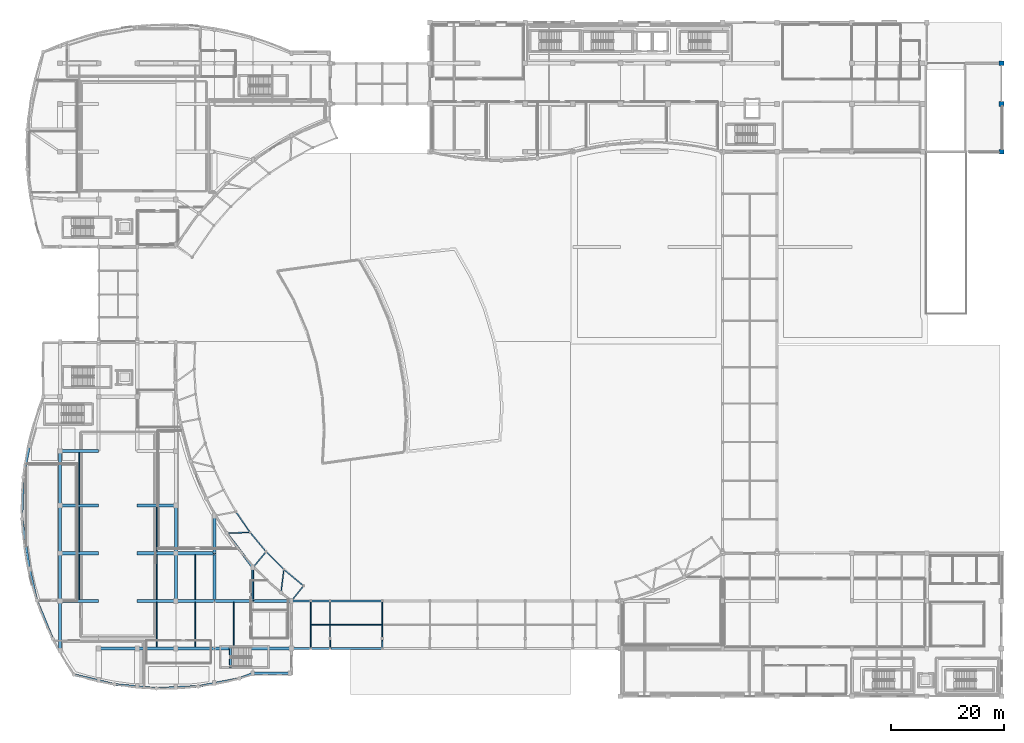
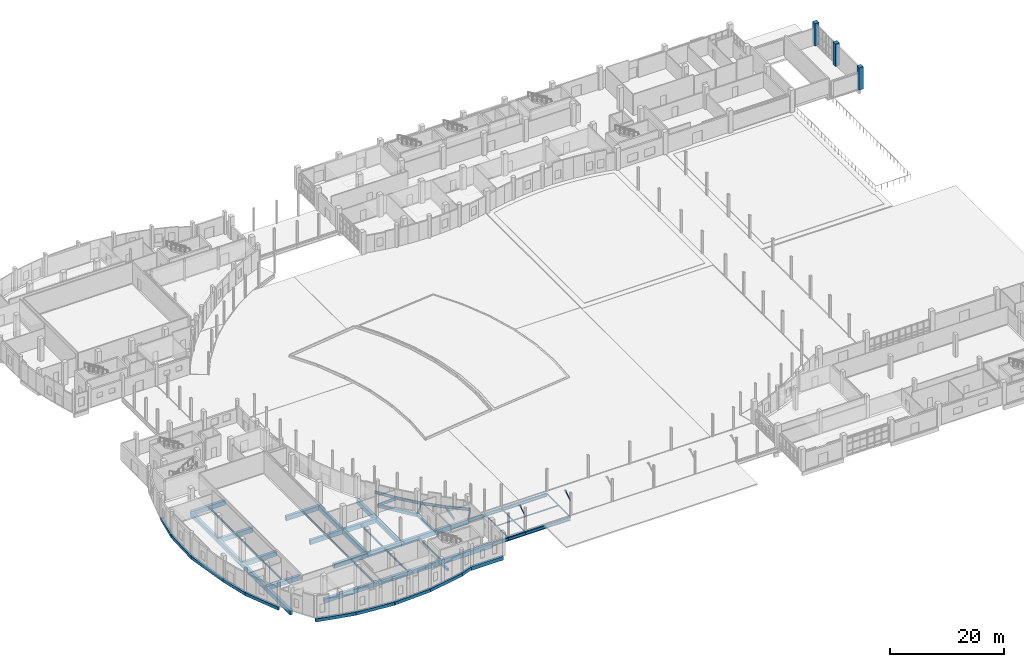
# One storey, part 20 of 97: 65 beams, 3 columns, 2 members.
"""IFC4 building model written with IfcOpenShell, lengths in metres."""

from ifc_helpers import new_model, si_unit, direction, frame, origin, origin_2d, place, context, subcontext, project, spatial, rectangle, hollow_rectangle, i_section, extrude, material, material_profile, profile_set, type_object, element, save


model = new_model("IFC4")

# Units and contexts
model_context = context("Model", 3, precision=1e-05, world=origin(), true_north=direction((0.0, 1.0)))
body_context = subcontext(model_context, "Body", "Model", "MODEL_VIEW")
ifc_project = project(units=[si_unit("LENGTHUNIT", "METRE"), si_unit("AREAUNIT", "SQUARE_METRE"), si_unit("VOLUMEUNIT", "CUBIC_METRE"), si_unit("PLANEANGLEUNIT", "RADIAN"), si_unit("MASSUNIT", "GRAM", prefix="KILO")], contexts=[model_context])

# Site, building, storey
site_placement = place(None, origin())
site = spatial("IfcSite", under=ifc_project, at=site_placement, CompositionType="ELEMENT")
building_placement = place(site_placement, origin())
building = spatial("IfcBuilding", under=site, at=building_placement, Name="Kisaragi Civic Commons", CompositionType="ELEMENT")
storey_placement = place(building_placement, origin())
storey = spatial("IfcBuildingStorey", under=building, at=storey_placement, Name="L00", CompositionType="ELEMENT", Elevation=0.0)

# Columns
ifc_material_1 = material(Name="Concrete Fc36", Category="concrete")
ifc_material_profile_1 = material_profile(ifc_material_1, rectangle(XDim=0.85009765625, YDim=0.85009765625, at=origin_2d()), Name="RC-850x850", Category="concrete")
ifc_profile_set_1 = profile_set([ifc_material_profile_1], Name="Concrete Fc36")
column_type = type_object("IfcColumnType", Name="C-05", PredefinedType="COLUMN", material=ifc_profile_set_1)
for number, where, z_axis, x_axis, name in (
    (1, (172.800048828125, 96.0, 0.0), (0.0, 0.0, 1.0), (1.0, 0.0, 0.0), "L00 column C-05 (172.8,96.0)"),
    (2, (172.800048828125, 104.39990234375, 0.0), (0.0, 0.0, 1.0), (1.0, 0.0, 0.0), "L00 column C-05 (172.8,104.4)"),
    (3, (172.800048828125, 111.60009765625, 0.0), (0.0, 0.0, 1.0), (1.0, 0.0, 0.0), "L00 column C-05 (172.8,111.6)"),
):
    element("IfcColumn", number, at=place(storey_placement, frame(where, z_axis=z_axis, x_axis=x_axis)), inside=storey, type_object=column_type, Name=name, PredefinedType="COLUMN", context=body_context, shape_type="SweptSolid", body=[
        extrude(rectangle(XDim=0.85009765625, YDim=0.85009765625, at=origin_2d()), origin(), (0.0, 0.0, 1.0), 4.800048828125),
    ])

# Beams
ifc_material_profile_2 = material_profile(ifc_material_1, rectangle(XDim=0.550048828125, YDim=0.949951171875, at=origin_2d()), Name="RC-550x950", Category="concrete")
ifc_profile_set_2 = profile_set([ifc_material_profile_2], Name="Concrete Fc36")
beam_type_1 = type_object("IfcBeamType", Name="G-01", PredefinedType="BEAM", material=ifc_profile_set_2)
beam_1_placement = place(storey_placement, frame((13.60009765625, 8.39990234375, -0.81494140625), z_axis=(1.0, 0.0, 0.0), x_axis=(0.0, 1.0, 0.0)))
element("IfcBeam", 4, at=beam_1_placement, inside=storey, type_object=beam_type_1, Name="L00 girder G-01 2", PredefinedType="BEAM", context=body_context, shape_type="SweptSolid", body=[
    extrude(rectangle(XDim=0.550048828125, YDim=0.949951171875, at=origin_2d()), origin(), (0.0, 0.0, 1.0), 6.7998046875),
])
for number, where, z_axis, x_axis, name in (
    (5, (20.39990234375, 8.39990234375, -0.81494140625), (1.0, 0.0, 0.0), (0.0, 1.0, 0.0), "L00 girder G-01 3"),
    (6, (27.199951171875, 8.39990234375, -0.81494140625), (1.0, 0.0, 0.0), (0.0, 1.0, 0.0), "L00 girder G-01 4"),
):
    element("IfcBeam", number, at=place(storey_placement, frame(where, z_axis=z_axis, x_axis=x_axis)), inside=storey, type_object=beam_type_1, Name=name, PredefinedType="BEAM", context=body_context, shape_type="SweptSolid", body=[
        extrude(rectangle(XDim=0.550048828125, YDim=0.949951171875, at=origin_2d()), origin(), (0.0, 0.0, 1.0), 6.800048828125),
    ])
beam_2_placement = place(storey_placement, frame((34.0, 8.39990234375, -0.81494140625), z_axis=(1.0, 0.0, 0.0), x_axis=(0.0, 1.0, 0.0)))
element("IfcBeam", 7, at=beam_2_placement, inside=storey, type_object=beam_type_1, Name="L00 girder G-01 5", PredefinedType="BEAM", context=body_context, shape_type="SweptSolid", body=[
    extrude(rectangle(XDim=0.550048828125, YDim=0.949951171875, at=origin_2d()), origin(), (0.0, 0.0, 1.0), 13.60009765625),
])
for number, where, z_axis, x_axis, name in (
    (8, (6.800048828125, 16.800048828125, -0.81494140625), (1.0, 0.0, 0.0), (0.0, 1.0, 0.0), "L00 girder G-01 6"),
    (9, (20.39990234375, 16.800048828125, -0.81494140625), (1.0, 0.0, 0.0), (0.0, 1.0, 0.0), "L00 girder G-01 7"),
    (10, (27.199951171875, 16.800048828125, -0.81494140625), (1.0, 0.0, 0.0), (0.0, 1.0, 0.0), "L00 girder G-01 8"),
    (11, (34.0, 16.800048828125, -0.81494140625), (1.0, 0.0, 0.0), (0.0, 1.0, 0.0), "L00 girder G-01 9"),
    (12, (40.800048828125, 16.800048828125, -0.81494140625), (1.0, 0.0, 0.0), (0.0, 1.0, 0.0), "L00 girder G-01 10"),
    (13, (6.800048828125, 25.199951171875, -0.81494140625), (1.0, 0.0, 0.0), (0.0, 1.0, 0.0), "L00 girder G-01 11"),
    (14, (20.39990234375, 25.199951171875, -0.81494140625), (1.0, 0.0, 0.0), (0.0, 1.0, 0.0), "L00 girder G-01 12"),
    (15, (27.199951171875, 25.199951171875, -0.81494140625), (1.0, 0.0, 0.0), (0.0, 1.0, 0.0), "L00 girder G-01 13"),
    (16, (6.800048828125, 33.60009765625, -0.81494140625), (1.0, 0.0, 0.0), (0.0, 1.0, 0.0), "L00 girder G-01 14"),
    (17, (20.39990234375, 33.60009765625, -0.81494140625), (1.0, 0.0, 0.0), (0.0, 1.0, 0.0), "L00 girder G-01 15"),
    (18, (6.800048828125, 43.199951171875, -0.81494140625), (1.0, 0.0, 0.0), (0.0, 1.0, 0.0), "L00 girder G-01 16"),
):
    element("IfcBeam", number, at=place(storey_placement, frame(where, z_axis=z_axis, x_axis=x_axis)), inside=storey, type_object=beam_type_1, Name=name, PredefinedType="BEAM", context=body_context, shape_type="SweptSolid", body=[
        extrude(rectangle(XDim=0.550048828125, YDim=0.949951171875, at=origin_2d()), origin(), (0.0, 0.0, 1.0), 6.800048828125),
    ])
beam_3_placement = place(storey_placement, frame((6.800048828125, 8.076171875, -0.81494140625), z_axis=(0.0, 1.0, 0.0), x_axis=(-1.0, 0.0, 0.0)))
element("IfcBeam", 19, at=beam_3_placement, inside=storey, type_object=beam_type_1, Name="L00 girder G-01 22", PredefinedType="BEAM", context=body_context, shape_type="SweptSolid", body=[
    extrude(rectangle(XDim=0.550048828125, YDim=0.949951171875, at=origin_2d()), origin(), (0.0, 0.0, 1.0), 8.723876953125),
])
beam_4_placement = place(storey_placement, frame((6.800048828125, 16.800048828125, -0.81494140625), z_axis=(0.0, 1.0, 0.0), x_axis=(-1.0, 0.0, 0.0)))
element("IfcBeam", 20, at=beam_4_placement, inside=storey, type_object=beam_type_1, Name="L00 girder G-01 23", PredefinedType="BEAM", context=body_context, shape_type="SweptSolid", body=[
    extrude(rectangle(XDim=0.550048828125, YDim=0.949951171875, at=origin_2d()), origin(), (0.0, 0.0, 1.0), 8.39990234375),
])
beam_5_placement = place(storey_placement, frame((6.800048828125, 25.199951171875, -0.81494140625), z_axis=(0.0, 1.0, 0.0), x_axis=(-1.0, 0.0, 0.0)))
element("IfcBeam", 21, at=beam_5_placement, inside=storey, type_object=beam_type_1, Name="L00 girder G-01 24", PredefinedType="BEAM", context=body_context, shape_type="SweptSolid", body=[
    extrude(rectangle(XDim=0.550048828125, YDim=0.949951171875, at=origin_2d()), origin(), (0.0, 0.0, 1.0), 8.400146484375),
])
beam_6_placement = place(storey_placement, frame((6.800048828125, 33.60009765625, -0.81494140625), z_axis=(0.0, 1.0, 0.0), x_axis=(-1.0, 0.0, 0.0)))
element("IfcBeam", 22, at=beam_6_placement, inside=storey, type_object=beam_type_1, Name="L00 girder G-01 25", PredefinedType="BEAM", context=body_context, shape_type="SweptSolid", body=[
    extrude(rectangle(XDim=0.550048828125, YDim=0.949951171875, at=origin_2d()), origin(), (0.0, 0.0, 1.0), 9.599853515625),
])
beam_7_placement = place(storey_placement, frame((27.199951171875, 16.800048828125, -0.81494140625), z_axis=(0.0, 1.0, 0.0), x_axis=(-1.0, 0.0, 0.0)))
element("IfcBeam", 23, at=beam_7_placement, inside=storey, type_object=beam_type_1, Name="L00 girder G-01 32", PredefinedType="BEAM", context=body_context, shape_type="SweptSolid", body=[
    extrude(rectangle(XDim=0.550048828125, YDim=0.949951171875, at=origin_2d()), origin(), (0.0, 0.0, 1.0), 8.39990234375),
])
beam_8_placement = place(storey_placement, frame((27.199951171875, 25.199951171875, -0.81494140625), z_axis=(0.0, 1.0, 0.0), x_axis=(-1.0, 0.0, 0.0)))
element("IfcBeam", 24, at=beam_8_placement, inside=storey, type_object=beam_type_1, Name="L00 girder G-01 33", PredefinedType="BEAM", context=body_context, shape_type="SweptSolid", body=[
    extrude(rectangle(XDim=0.550048828125, YDim=0.949951171875, at=origin_2d()), origin(), (0.0, 0.0, 1.0), 8.400146484375),
])
beam_9_placement = place(storey_placement, frame((34.0, 16.800048828125, -0.81494140625), z_axis=(0.0, 1.0, 0.0), x_axis=(-1.0, 0.0, 0.0)))
element("IfcBeam", 25, at=beam_9_placement, inside=storey, type_object=beam_type_1, Name="L00 girder G-01 37", PredefinedType="BEAM", context=body_context, shape_type="SweptSolid", body=[
    extrude(rectangle(XDim=0.550048828125, YDim=0.949951171875, at=origin_2d()), origin(), (0.0, 0.0, 1.0), 8.39990234375),
])
beam_10_placement = place(storey_placement, frame((34.0, 25.199951171875, -0.81494140625), z_axis=(0.0, 1.0, 0.0), x_axis=(-1.0, 0.0, 0.0)))
element("IfcBeam", 26, at=beam_10_placement, inside=storey, type_object=beam_type_1, Name="L00 girder G-01 38", PredefinedType="BEAM", context=body_context, shape_type="SweptSolid", body=[
    extrude(rectangle(XDim=0.550048828125, YDim=0.949951171875, at=origin_2d()), origin(), (0.0, 0.0, 1.0), 6.611328125),
])
ifc_material_2 = material(Name="Steel SN490 (SN490B)", Category="steel")
ifc_material_profile_3 = material_profile(ifc_material_2, i_section(OverallWidth=0.300048828125, OverallDepth=0.699951171875, WebThickness=0.012939453125, FlangeThickness=0.02392578125, FilletRadius=0.01806640625, at=origin_2d()), Name="H-700x300x13x24", Category="steel")
ifc_profile_set_3 = profile_set([ifc_material_profile_3], Name="Steel SN490 (SN490B)")
beam_type_2 = type_object("IfcBeamType", Name="G-09", PredefinedType="BEAM", material=ifc_profile_set_3)
for number, where, z_axis, x_axis, name in (
    (27, (47.60009765625, 8.39990234375, -0.68994140625), (1.0, 0.0, 0.0), (0.0, 1.0, 0.0), "BR-V1-V3 L00 bridge girder 169"),
    (28, (51.0, 8.39990234375, -0.68994140625), (1.0, 0.0, 0.0), (0.0, 1.0, 0.0), "BR-V1-V3 L00 bridge girder 170"),
):
    element("IfcBeam", number, at=place(storey_placement, frame(where, z_axis=z_axis, x_axis=x_axis)), inside=storey, type_object=beam_type_2, Name=name, PredefinedType="BEAM", context=body_context, shape_type="SweptSolid", body=[
        extrude(i_section(OverallWidth=0.300048828125, OverallDepth=0.699951171875, WebThickness=0.012939453125, FlangeThickness=0.02392578125, FilletRadius=0.01806640625, at=origin_2d()), origin(), (0.0, 0.0, 1.0), 3.39990234375),
    ])
beam_11_placement = place(storey_placement, frame((54.39990234375, 8.39990234375, -0.68994140625), z_axis=(1.0, 0.0, 0.0), x_axis=(0.0, 1.0, 0.0)))
element("IfcBeam", 29, at=beam_11_placement, inside=storey, type_object=beam_type_2, Name="BR-V1-V3 L00 bridge girder 171", PredefinedType="BEAM", context=body_context, shape_type="SweptSolid", body=[
    extrude(i_section(OverallWidth=0.300048828125, OverallDepth=0.699951171875, WebThickness=0.012939453125, FlangeThickness=0.02392578125, FilletRadius=0.01806640625, at=origin_2d()), origin(), (0.0, 0.0, 1.0), 9.2001953125),
])
for number, where, z_axis, x_axis, name in (
    (30, (47.60009765625, 16.800048828125, -0.68994140625), (1.0, 0.0, 0.0), (0.0, 1.0, 0.0), "BR-V1-V3 L00 bridge girder 179"),
    (31, (51.0, 16.800048828125, -0.68994140625), (1.0, 0.0, 0.0), (0.0, 1.0, 0.0), "BR-V1-V3 L00 bridge girder 180"),
):
    element("IfcBeam", number, at=place(storey_placement, frame(where, z_axis=z_axis, x_axis=x_axis)), inside=storey, type_object=beam_type_2, Name=name, PredefinedType="BEAM", context=body_context, shape_type="SweptSolid", body=[
        extrude(i_section(OverallWidth=0.300048828125, OverallDepth=0.699951171875, WebThickness=0.012939453125, FlangeThickness=0.02392578125, FilletRadius=0.01806640625, at=origin_2d()), origin(), (0.0, 0.0, 1.0), 3.39990234375),
    ])
beam_12_placement = place(storey_placement, frame((54.39990234375, 16.800048828125, -0.68994140625), z_axis=(1.0, 0.0, 0.0), x_axis=(0.0, 1.0, 0.0)))
element("IfcBeam", 32, at=beam_12_placement, inside=storey, type_object=beam_type_2, Name="BR-V1-V3 L00 bridge girder 181", PredefinedType="BEAM", context=body_context, shape_type="SweptSolid", body=[
    extrude(i_section(OverallWidth=0.300048828125, OverallDepth=0.699951171875, WebThickness=0.012939453125, FlangeThickness=0.02392578125, FilletRadius=0.01806640625, at=origin_2d()), origin(), (0.0, 0.0, 1.0), 9.2001953125),
])
ifc_material_profile_4 = material_profile(ifc_material_2, i_section(OverallWidth=0.199951171875, OverallDepth=0.60009765625, WebThickness=0.010986328125, FlangeThickness=0.01708984375, FilletRadius=0.012939453125, at=origin_2d()), Name="H-600x200x11x17", Category="steel")
ifc_profile_set_4 = profile_set([ifc_material_profile_4], Name="Steel SN490 (SN490B)")
beam_type_3 = type_object("IfcBeamType", Name="G-10", PredefinedType="BEAM", material=ifc_profile_set_4)
beam_13_placement = place(storey_placement, frame((37.7861328125, 32.52001953125, -0.639892578125), z_axis=(0.567025044804, -0.823700551514, 0.0), x_axis=(0.823700551514, 0.567025044804, 0.0)))
element("IfcBeam", 33, at=beam_13_placement, inside=storey, type_object=beam_type_3, Name="VER-V1 L00 edge beam 8", PredefinedType="BEAM", context=body_context, shape_type="SweptSolid", body=[
    extrude(i_section(OverallWidth=0.199951171875, OverallDepth=0.60009765625, WebThickness=0.010986328125, FlangeThickness=0.01708984375, FilletRadius=0.012939453125, at=origin_2d()), origin(), (0.0, 0.0, 1.0), 4.42578125),
])
beam_14_placement = place(storey_placement, frame((40.295654296875, 28.87451171875, -0.639892578125), z_axis=(0.639587386652, -0.768718397618, 0.0), x_axis=(0.768718397618, 0.639587386652, 0.0)))
element("IfcBeam", 34, at=beam_14_placement, inside=storey, type_object=beam_type_3, Name="VER-V1 L00 edge beam 9", PredefinedType="BEAM", context=body_context, shape_type="SweptSolid", body=[
    extrude(i_section(OverallWidth=0.199951171875, OverallDepth=0.60009765625, WebThickness=0.010986328125, FlangeThickness=0.01708984375, FilletRadius=0.012939453125, at=origin_2d()), origin(), (0.0, 0.0, 1.0), 4.426025390625),
])
beam_15_placement = place(storey_placement, frame((43.12646484375, 25.47216796875, -0.639892578125), z_axis=(0.706858504177, -0.707354971052, 0.0), x_axis=(0.707354971052, 0.706858504177, 0.0)))
element("IfcBeam", 35, at=beam_15_placement, inside=storey, type_object=beam_type_3, Name="VER-V1 L00 edge beam 10", PredefinedType="BEAM", context=body_context, shape_type="SweptSolid", body=[
    extrude(i_section(OverallWidth=0.199951171875, OverallDepth=0.60009765625, WebThickness=0.010986328125, FlangeThickness=0.01708984375, FilletRadius=0.012939453125, at=origin_2d()), origin(), (0.0, 0.0, 1.0), 4.42578125),
])
beam_16_placement = place(storey_placement, frame((46.2548828125, 22.341552734375, -0.639892578125), z_axis=(0.768647711897, -0.639672334086, 0.0), x_axis=(0.639672334086, 0.768647711897, 0.0)))
element("IfcBeam", 36, at=beam_16_placement, inside=storey, type_object=beam_type_3, Name="VER-V1 L00 edge beam 11", PredefinedType="BEAM", context=body_context, shape_type="SweptSolid", body=[
    extrude(i_section(OverallWidth=0.199951171875, OverallDepth=0.60009765625, WebThickness=0.010986328125, FlangeThickness=0.01708984375, FilletRadius=0.012939453125, at=origin_2d()), origin(), (0.0, 0.0, 1.0), 4.503173828125),
])
beam_17_placement = place(storey_placement, frame((40.295654296875, 28.87451171875, -0.639892578125), z_axis=(-0.999469160704, -0.032579085329, 0.0), x_axis=(0.032579085329, -0.999469160704, 0.0)))
element("IfcBeam", 37, at=beam_17_placement, inside=storey, type_object=beam_type_3, Name="VER-V1 L00 radial tie 20", PredefinedType="BEAM", context=body_context, shape_type="SweptSolid", body=[
    extrude(i_section(OverallWidth=0.199951171875, OverallDepth=0.60009765625, WebThickness=0.010986328125, FlangeThickness=0.01708984375, FilletRadius=0.012939453125, at=origin_2d()), origin(), (0.0, 0.0, 1.0), 4.09912109375),
])
beam_18_placement = place(storey_placement, frame((43.12646484375, 25.47216796875, -0.639892578125), z_axis=(-0.638495634612, -0.769625444344, 0.0), x_axis=(0.769625444344, -0.638495634612, 0.0)))
element("IfcBeam", 38, at=beam_18_placement, inside=storey, type_object=beam_type_3, Name="VER-V1 L00 radial tie 21", PredefinedType="BEAM", context=body_context, shape_type="SweptSolid", body=[
    extrude(i_section(OverallWidth=0.199951171875, OverallDepth=0.60009765625, WebThickness=0.010986328125, FlangeThickness=0.01708984375, FilletRadius=0.012939453125, at=origin_2d()), origin(), (0.0, 0.0, 1.0), 3.6435546875),
])
beam_19_placement = place(storey_placement, frame((46.2548828125, 22.341552734375, -0.639892578125), z_axis=(-0.124064056517, -0.992274211033, 0.0), x_axis=(0.992274211033, -0.124064056517, 0.0)))
element("IfcBeam", 39, at=beam_19_placement, inside=storey, type_object=beam_type_3, Name="VER-V1 L00 radial tie 22", PredefinedType="BEAM", context=body_context, shape_type="SweptSolid", body=[
    extrude(i_section(OverallWidth=0.199951171875, OverallDepth=0.60009765625, WebThickness=0.010986328125, FlangeThickness=0.01708984375, FilletRadius=0.012939453125, at=origin_2d()), origin(), (0.0, 0.0, 1.0), 4.09912109375),
])
beam_20_placement = place(storey_placement, frame((49.71630859375, 19.4609375, -0.639892578125), z_axis=(-0.622450594346, -0.782659094113, 0.0), x_axis=(0.782659094113, -0.622450594346, 0.0)))
element("IfcBeam", 40, at=beam_20_placement, inside=storey, type_object=beam_type_3, Name="VER-V1 L00 radial tie 23", PredefinedType="BEAM", context=body_context, shape_type="SweptSolid", body=[
    extrude(i_section(OverallWidth=0.199951171875, OverallDepth=0.60009765625, WebThickness=0.010986328125, FlangeThickness=0.01708984375, FilletRadius=0.012939453125, at=origin_2d()), origin(), (0.0, 0.0, 1.0), 3.39990234375),
])
ifc_material_3 = material(Name="Concrete Fc30", Category="concrete")
ifc_material_profile_5 = material_profile(ifc_material_3, rectangle(XDim=0.35009765625, YDim=0.60009765625, at=origin_2d()), Name="RC-350x600", Category="concrete")
ifc_profile_set_5 = profile_set([ifc_material_profile_5], Name="Concrete Fc30")
beam_type_4 = type_object("IfcBeamType", Name="G-14", PredefinedType="BEAM", material=ifc_profile_set_5)
beam_21_placement = place(storey_placement, frame((40.800048828125, 22.66796875, -0.639892578125), z_axis=(0.0, -1.0, 0.0), x_axis=(1.0, 0.0, 0.0)))
element("IfcBeam", 41, at=beam_21_placement, inside=storey, type_object=beam_type_4, Name="L00 curved wall tie beam 42", PredefinedType="BEAM", context=body_context, shape_type="SweptSolid", body=[
    extrude(rectangle(XDim=0.35009765625, YDim=0.60009765625, at=origin_2d()), origin(), (0.0, 0.0, 1.0), 5.867919921875),
])
beam_22_placement = place(storey_placement, frame((36.800048828125, 5.050048828125, -0.300048828125), z_axis=(0.0, 1.0, 0.0), x_axis=(-1.0, 0.0, 0.0)))
element("IfcBeam", 42, at=beam_22_placement, inside=storey, type_object=beam_type_4, Name="ST-M2 L00 stair landing trimmer beam", PredefinedType="BEAM", context=body_context, shape_type="SweptSolid", body=[
    extrude(rectangle(XDim=0.35009765625, YDim=0.60009765625, at=origin_2d()), origin(), (0.0, 0.0, 1.0), 3.699951171875),
])
ifc_material_4 = material(Name="Steel SN400 (SN400B)", Category="steel")
ifc_material_profile_6 = material_profile(ifc_material_4, i_section(OverallWidth=0.175048828125, OverallDepth=0.35009765625, WebThickness=0.007080078125, FlangeThickness=0.010986328125, FilletRadius=0.012939453125, at=origin_2d()), Name="H-350x175x7x11", Category="steel")
ifc_profile_set_6 = profile_set([ifc_material_profile_6], Name="Steel SN400 (SN400B)")
beam_type_5 = type_object("IfcBeamType", Name="J-02", PredefinedType="JOIST", material=ifc_profile_set_6)
beam_23_placement = place(storey_placement, frame((10.199951171875, 17.074951171875, -0.514892578125), z_axis=(0.0, 1.0, 0.0), x_axis=(-1.0, 0.0, 0.0)))
element("IfcBeam", 43, at=beam_23_placement, inside=storey, type_object=beam_type_5, Name="L00 secondary steel joist J-02 1", PredefinedType="JOIST", context=body_context, shape_type="SweptSolid", body=[
    extrude(i_section(OverallWidth=0.175048828125, OverallDepth=0.35009765625, WebThickness=0.007080078125, FlangeThickness=0.010986328125, FilletRadius=0.012939453125, at=origin_2d()), origin(), (0.0, 0.0, 1.0), 7.85009765625),
])
beam_24_placement = place(storey_placement, frame((10.199951171875, 25.47509765625, -0.514892578125), z_axis=(0.0, 1.0, 0.0), x_axis=(-1.0, 0.0, 0.0)))
element("IfcBeam", 44, at=beam_24_placement, inside=storey, type_object=beam_type_5, Name="L00 secondary steel joist J-02 2", PredefinedType="JOIST", context=body_context, shape_type="SweptSolid", body=[
    extrude(i_section(OverallWidth=0.175048828125, OverallDepth=0.35009765625, WebThickness=0.007080078125, FlangeThickness=0.010986328125, FilletRadius=0.012939453125, at=origin_2d()), origin(), (0.0, 0.0, 1.0), 7.849853515625),
])
beam_25_placement = place(storey_placement, frame((10.199951171875, 33.875, -0.514892578125), z_axis=(0.0, 1.0, 0.0), x_axis=(-1.0, 0.0, 0.0)))
element("IfcBeam", 45, at=beam_25_placement, inside=storey, type_object=beam_type_5, Name="L00 secondary steel joist J-02 3", PredefinedType="JOIST", context=body_context, shape_type="SweptSolid", body=[
    extrude(i_section(OverallWidth=0.175048828125, OverallDepth=0.35009765625, WebThickness=0.007080078125, FlangeThickness=0.010986328125, FilletRadius=0.012939453125, at=origin_2d()), origin(), (0.0, 0.0, 1.0), 9.050048828125),
])
beam_26_placement = place(storey_placement, frame((23.800048828125, 8.675048828125, -0.514892578125), z_axis=(0.0, 1.0, 0.0), x_axis=(-1.0, 0.0, 0.0)))
element("IfcBeam", 46, at=beam_26_placement, inside=storey, type_object=beam_type_5, Name="L00 secondary steel joist J-02 4", PredefinedType="JOIST", context=body_context, shape_type="SweptSolid", body=[
    extrude(i_section(OverallWidth=0.175048828125, OverallDepth=0.35009765625, WebThickness=0.007080078125, FlangeThickness=0.010986328125, FilletRadius=0.012939453125, at=origin_2d()), origin(), (0.0, 0.0, 1.0), 7.849853515625),
])
beam_27_placement = place(storey_placement, frame((23.800048828125, 17.074951171875, -0.514892578125), z_axis=(0.0, 1.0, 0.0), x_axis=(-1.0, 0.0, 0.0)))
element("IfcBeam", 47, at=beam_27_placement, inside=storey, type_object=beam_type_5, Name="L00 secondary steel joist J-02 5", PredefinedType="JOIST", context=body_context, shape_type="SweptSolid", body=[
    extrude(i_section(OverallWidth=0.175048828125, OverallDepth=0.35009765625, WebThickness=0.007080078125, FlangeThickness=0.010986328125, FilletRadius=0.012939453125, at=origin_2d()), origin(), (0.0, 0.0, 1.0), 7.85009765625),
])
for number, where, z_axis, x_axis, name in (
    (48, (23.800048828125, 25.47509765625, -0.514892578125), (0.0, 1.0, 0.0), (-1.0, 0.0, 0.0), "L00 secondary steel joist J-02 6"),
    (49, (30.60009765625, 8.675048828125, -0.514892578125), (0.0, 1.0, 0.0), (-1.0, 0.0, 0.0), "L00 secondary steel joist J-02 8"),
):
    element("IfcBeam", number, at=place(storey_placement, frame(where, z_axis=z_axis, x_axis=x_axis)), inside=storey, type_object=beam_type_5, Name=name, PredefinedType="JOIST", context=body_context, shape_type="SweptSolid", body=[
        extrude(i_section(OverallWidth=0.175048828125, OverallDepth=0.35009765625, WebThickness=0.007080078125, FlangeThickness=0.010986328125, FilletRadius=0.012939453125, at=origin_2d()), origin(), (0.0, 0.0, 1.0), 7.849853515625),
    ])
beam_28_placement = place(storey_placement, frame((30.60009765625, 17.074951171875, -0.514892578125), z_axis=(0.0, 1.0, 0.0), x_axis=(-1.0, 0.0, 0.0)))
element("IfcBeam", 50, at=beam_28_placement, inside=storey, type_object=beam_type_5, Name="L00 secondary steel joist J-02 9", PredefinedType="JOIST", context=body_context, shape_type="SweptSolid", body=[
    extrude(i_section(OverallWidth=0.175048828125, OverallDepth=0.35009765625, WebThickness=0.007080078125, FlangeThickness=0.010986328125, FilletRadius=0.012939453125, at=origin_2d()), origin(), (0.0, 0.0, 1.0), 7.85009765625),
])
beam_29_placement = place(storey_placement, frame((37.39990234375, 8.675048828125, -0.514892578125), z_axis=(0.0, 1.0, 0.0), x_axis=(-1.0, 0.0, 0.0)))
element("IfcBeam", 51, at=beam_29_placement, inside=storey, type_object=beam_type_5, Name="L00 secondary steel joist J-02 10", PredefinedType="JOIST", context=body_context, shape_type="SweptSolid", body=[
    extrude(i_section(OverallWidth=0.175048828125, OverallDepth=0.35009765625, WebThickness=0.007080078125, FlangeThickness=0.010986328125, FilletRadius=0.012939453125, at=origin_2d()), origin(), (0.0, 0.0, 1.0), 7.849853515625),
])
ifc_material_profile_7 = material_profile(ifc_material_4, i_section(OverallWidth=0.125, OverallDepth=0.25, WebThickness=0.006103515625, FlangeThickness=0.009033203125, FilletRadius=0.008056640625, at=origin_2d()), Name="H-250x125x6x9", Category="steel")
ifc_profile_set_7 = profile_set([ifc_material_profile_7], Name="Steel SN400 (SN400B)")
beam_type_6 = type_object("IfcBeamType", Name="J-05", PredefinedType="JOIST", material=ifc_profile_set_7)
for number, where, z_axis, x_axis, name in (
    (52, (51.0, 8.39990234375, -0.465087890625), (0.0, 1.0, 0.0), (-1.0, 0.0, 0.0), "BR-V1-V3 L00 cross joist 189"),
    (53, (54.39990234375, 8.39990234375, -0.465087890625), (0.0, 1.0, 0.0), (-1.0, 0.0, 0.0), "BR-V1-V3 L00 cross joist 190"),
    (54, (63.60009765625, 8.39990234375, -0.465087890625), (0.0, 1.0, 0.0), (-1.0, 0.0, 0.0), "BR-V1-V3 L00 cross joist 191"),
):
    element("IfcBeam", number, at=place(storey_placement, frame(where, z_axis=z_axis, x_axis=x_axis)), inside=storey, type_object=beam_type_6, Name=name, PredefinedType="JOIST", context=body_context, shape_type="SweptSolid", body=[
        extrude(i_section(OverallWidth=0.125, OverallDepth=0.25, WebThickness=0.006103515625, FlangeThickness=0.009033203125, FilletRadius=0.008056640625, at=origin_2d()), origin(), (0.0, 0.0, 1.0), 8.400146484375),
    ])
beam_30_placement = place(storey_placement, frame((51.0625, 12.60009765625, -0.465087890625), z_axis=(1.0, 0.0, 0.0), x_axis=(0.0, 1.0, 0.0)))
element("IfcBeam", 55, at=beam_30_placement, inside=storey, type_object=beam_type_6, Name="BR-V1-V3 L00 spine joist 197", PredefinedType="JOIST", context=body_context, shape_type="SweptSolid", body=[
    extrude(i_section(OverallWidth=0.125, OverallDepth=0.25, WebThickness=0.006103515625, FlangeThickness=0.009033203125, FilletRadius=0.008056640625, at=origin_2d()), origin(), (0.0, 0.0, 1.0), 3.27490234375),
])
beam_31_placement = place(storey_placement, frame((54.46240234375, 12.60009765625, -0.465087890625), z_axis=(1.0, 0.0, 0.0), x_axis=(0.0, 1.0, 0.0)))
element("IfcBeam", 56, at=beam_31_placement, inside=storey, type_object=beam_type_6, Name="BR-V1-V3 L00 spine joist 198", PredefinedType="JOIST", context=body_context, shape_type="SweptSolid", body=[
    extrude(i_section(OverallWidth=0.125, OverallDepth=0.25, WebThickness=0.006103515625, FlangeThickness=0.009033203125, FilletRadius=0.008056640625, at=origin_2d()), origin(), (0.0, 0.0, 1.0), 9.0751953125),
])
ifc_material_profile_8 = material_profile(ifc_material_3, rectangle(XDim=0.449951171875, YDim=0.800048828125, at=origin_2d()), Name="RC-450x800", Category="concrete")
ifc_profile_set_8 = profile_set([ifc_material_profile_8], Name="Concrete Fc30")
beam_type_7 = type_object("IfcBeamType", Name="SPB-01", PredefinedType="SPANDREL", material=ifc_profile_set_8)
beam_32_placement = place(storey_placement, frame((40.800048828125, 4.02001953125, -0.739990234375), z_axis=(1.0, 0.0, 0.0), x_axis=(0.0, 1.0, 0.0)))
element("IfcBeam", 57, at=beam_32_placement, inside=storey, type_object=beam_type_7, Name="L00 girder SPB-01 1", PredefinedType="SPANDREL", context=body_context, shape_type="SweptSolid", body=[
    extrude(rectangle(XDim=0.449951171875, YDim=0.800048828125, at=origin_2d()), origin(), (0.0, 0.0, 1.0), 6.5),
])
ifc_material_profile_9 = material_profile(ifc_material_3, rectangle(XDim=0.39990234375, YDim=0.64990234375, at=origin_2d()), Name="RC-400x650", Category="concrete")
ifc_profile_set_9 = profile_set([ifc_material_profile_9], Name="Concrete Fc30")
beam_type_8 = type_object("IfcBeamType", Name="SPB-02", PredefinedType="SPANDREL", material=ifc_profile_set_9)
beam_33_placement = place(storey_placement, frame((36.19873046875, 28.740966796875, -0.6650390625), z_axis=(0.60390457291, -0.797056627109, 0.0), x_axis=(0.797056627109, 0.60390457291, 0.0)))
element("IfcBeam", 58, at=beam_33_placement, inside=storey, type_object=beam_type_8, Name="L00 curved spandrel/ring girder SPB-02 41", PredefinedType="SPANDREL", context=body_context, shape_type="SweptSolid", body=[
    extrude(rectangle(XDim=0.39990234375, YDim=0.64990234375, at=origin_2d()), origin(), (0.0, 0.0, 1.0), 7.619384765625),
])
beam_34_placement = place(storey_placement, frame((1.39990234375, 44.1923828125, -0.6650390625), z_axis=(-0.196289136479, -0.980546059551, 0.0), x_axis=(0.980546059551, -0.196289136479, 0.0)))
element("IfcBeam", 59, at=beam_34_placement, inside=storey, type_object=beam_type_8, Name="L00 curved spandrel/ring girder SPB-02 44", PredefinedType="SPANDREL", context=body_context, shape_type="SweptSolid", body=[
    extrude(rectangle(XDim=0.39990234375, YDim=0.64990234375, at=origin_2d()), origin(), (0.0, 0.0, 1.0), 5.698974609375),
])
beam_35_placement = place(storey_placement, frame((0.28125, 38.604248046875, -0.6650390625), z_axis=(-0.031338724546, -0.999508821544, 0.0), x_axis=(0.999508821544, -0.031338724546, 0.0)))
element("IfcBeam", 60, at=beam_35_placement, inside=storey, type_object=beam_type_8, Name="L00 curved spandrel/ring girder SPB-02 45", PredefinedType="SPANDREL", context=body_context, shape_type="SweptSolid", body=[
    extrude(rectangle(XDim=0.39990234375, YDim=0.64990234375, at=origin_2d()), origin(), (0.0, 0.0, 1.0), 7.330810546875),
])
beam_36_placement = place(storey_placement, frame((0.051513671875, 31.277099609375, -0.6650390625), z_axis=(0.150811558379, -0.988562529059, 0.0), x_axis=(0.988562529059, 0.150811558379, 0.0)))
element("IfcBeam", 61, at=beam_36_placement, inside=storey, type_object=beam_type_8, Name="L00 curved spandrel/ring girder SPB-02 46", PredefinedType="SPANDREL", context=body_context, shape_type="SweptSolid", body=[
    extrude(rectangle(XDim=0.39990234375, YDim=0.64990234375, at=origin_2d()), origin(), (0.0, 0.0, 1.0), 8.94091796875),
])
beam_37_placement = place(storey_placement, frame((1.39990234375, 22.4384765625, -0.6650390625), z_axis=(0.223816605876, -0.974631277425, 0.0), x_axis=(0.974631277425, 0.223816605876, 0.0)))
element("IfcBeam", 62, at=beam_37_placement, inside=storey, type_object=beam_type_8, Name="L00 curved spandrel/ring girder SPB-02 47", PredefinedType="SPANDREL", context=body_context, shape_type="SweptSolid", body=[
    extrude(rectangle(XDim=0.39990234375, YDim=0.64990234375, at=origin_2d()), origin(), (0.0, 0.0, 1.0), 5.694091796875),
])
beam_38_placement = place(storey_placement, frame((2.67431640625, 16.888916015625, -0.6650390625), z_axis=(0.381977220479, -0.924171738929, 0.0), x_axis=(0.924171738929, 0.381977220479, 0.0)))
element("IfcBeam", 63, at=beam_38_placement, inside=storey, type_object=beam_type_8, Name="L00 curved spandrel/ring girder SPB-02 48", PredefinedType="SPANDREL", context=body_context, shape_type="SweptSolid", body=[
    extrude(rectangle(XDim=0.39990234375, YDim=0.64990234375, at=origin_2d()), origin(), (0.0, 0.0, 1.0), 7.3310546875),
])
beam_39_placement = place(storey_placement, frame((9.199951171875, 3.800048828125, -0.6650390625), z_axis=(0.971932874393, -0.235258342412, 0.0), x_axis=(0.235258342412, 0.971932874393, 0.0)))
element("IfcBeam", 64, at=beam_39_placement, inside=storey, type_object=beam_type_8, Name="L00 curved spandrel/ring girder SPB-02 49", PredefinedType="SPANDREL", context=body_context, shape_type="SweptSolid", body=[
    extrude(rectangle(XDim=0.39990234375, YDim=0.64990234375, at=origin_2d()), origin(), (0.0, 0.0, 1.0), 7.4033203125),
])
for number, where, z_axis, x_axis, name in (
    (65, (16.3955078125, 2.058349609375, -0.6650390625), (0.995491914651, -0.094846443601, 0.0), (0.094846443601, 0.995491914651, 0.0), "L00 curved spandrel/ring girder SPB-02 50"),
    (66, (23.76513671875, 1.356201171875, -0.6650390625), (0.99887179071, 0.047488374612, 0.0), (-0.047488374612, 0.99887179071, 0.0), "L00 curved spandrel/ring girder SPB-02 51"),
):
    element("IfcBeam", number, at=place(storey_placement, frame(where, z_axis=z_axis, x_axis=x_axis)), inside=storey, type_object=beam_type_8, Name=name, PredefinedType="SPANDREL", context=body_context, shape_type="SweptSolid", body=[
        extrude(rectangle(XDim=0.39990234375, YDim=0.64990234375, at=origin_2d()), origin(), (0.0, 0.0, 1.0), 7.403076171875),
    ])
beam_40_placement = place(storey_placement, frame((31.159912109375, 1.707763671875, -0.6650390625), z_axis=(0.982009739896, 0.188830269684, 0.0), x_axis=(-0.188830269684, 0.982009739896, 0.0)))
element("IfcBeam", 67, at=beam_40_placement, inside=storey, type_object=beam_type_8, Name="L00 curved spandrel/ring girder SPB-02 52", PredefinedType="SPANDREL", context=body_context, shape_type="SweptSolid", body=[
    extrude(rectangle(XDim=0.39990234375, YDim=0.64990234375, at=origin_2d()), origin(), (0.0, 0.0, 1.0), 7.4033203125),
])
beam_41_placement = place(storey_placement, frame((38.429931640625, 3.105712890625, -0.6650390625), z_axis=(0.932985984312, 0.359912702024, 0.0), x_axis=(-0.359912702024, 0.932985984312, 0.0)))
element("IfcBeam", 68, at=beam_41_placement, inside=storey, type_object=beam_type_8, Name="L00 curved spandrel/ring girder SPB-02 53", PredefinedType="SPANDREL", context=body_context, shape_type="SweptSolid", body=[
    extrude(rectangle(XDim=0.39990234375, YDim=0.64990234375, at=origin_2d()), origin(), (0.0, 0.0, 1.0), 2.540283203125),
])

# Members
ifc_material_5 = material(Name="Steel STKR400", Category="steel")
ifc_material_profile_10 = material_profile(ifc_material_5, hollow_rectangle(XDim=0.14990234375, YDim=0.14990234375, WallThickness=0.006103515625, InnerFilletRadius=0.006103515625, OuterFilletRadius=0.011962890625, at=origin_2d()), Name="STKR-150x150x6", Category="steel")
ifc_profile_set_10 = profile_set([ifc_material_profile_10], Name="Steel STKR400")
member_type = type_object("IfcMemberType", Name="ST-C1", PredefinedType="STRUT", material=ifc_profile_set_10)
for number, where, z_axis, x_axis, name in (
    (69, (54.39990234375, 8.39990234375, 3.0), (0.0, 0.853267529787, 0.521473415057), (-1.0, 0.0, 0.0), "Entrance canopy knee-brace strut 1"),
    (70, (63.60009765625, 8.39990234375, 3.0), (0.0, 0.853267529787, 0.521473415057), (-1.0, 0.0, 0.0), "Entrance canopy knee-brace strut 2"),
):
    element("IfcMember", number, at=place(storey_placement, frame(where, z_axis=z_axis, x_axis=x_axis)), inside=storey, type_object=member_type, Name=name, PredefinedType="STRUT", context=body_context, shape_type="SweptSolid", body=[
        extrude(hollow_rectangle(XDim=0.14990234375, YDim=0.14990234375, WallThickness=0.006103515625, InnerFilletRadius=0.006103515625, OuterFilletRadius=0.011962890625, at=origin_2d()), origin(), (0.0, 0.0, 1.0), 2.109619140625),
    ])

save(model, "model.ifc")
